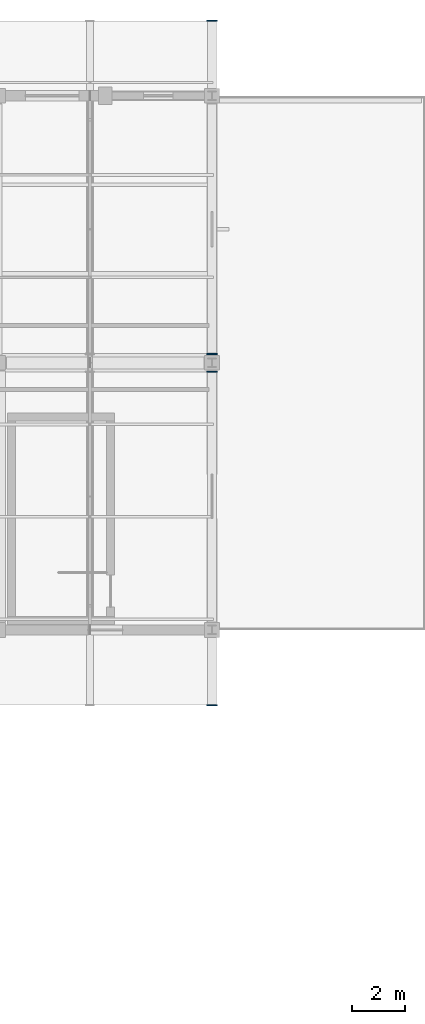
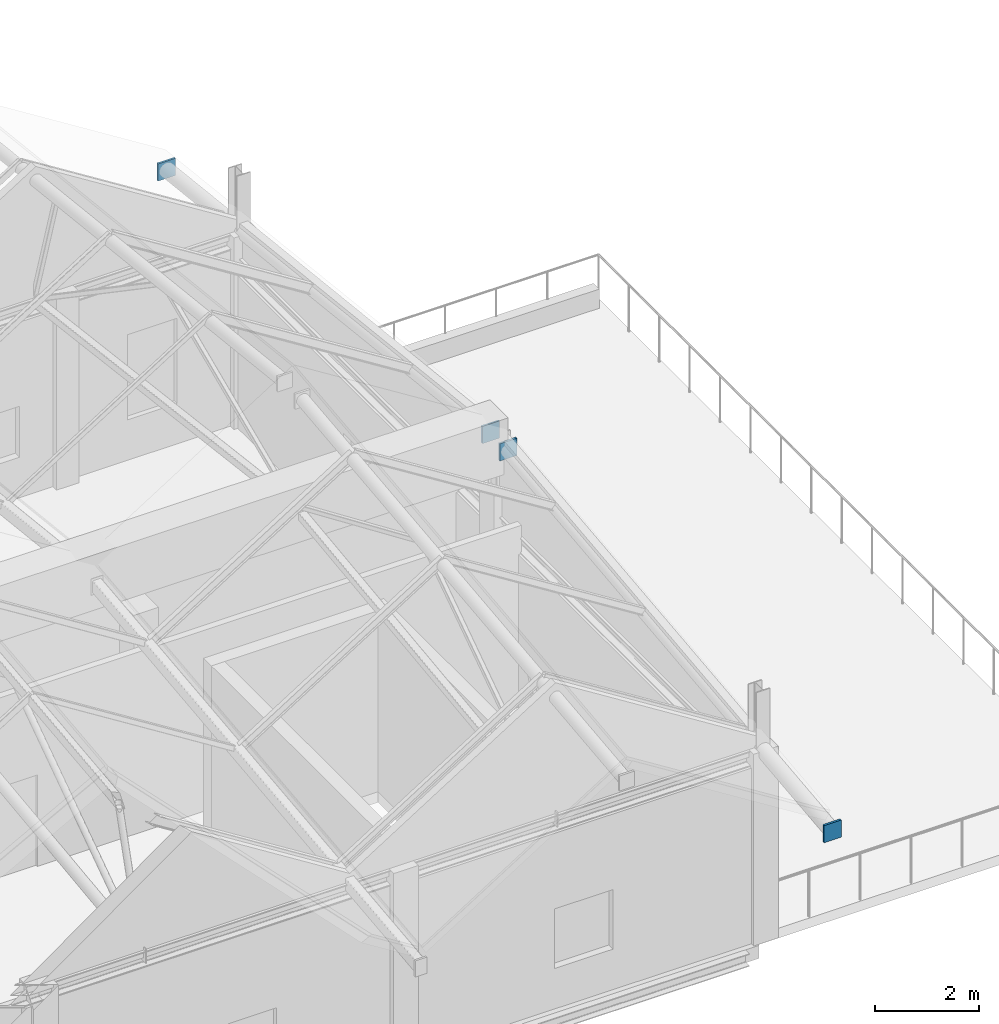
# One storey, part 161 of 183: 4 discrete accessories.
"""IFC4 building model written with IfcOpenShell, lengths in metres."""

from ifc_helpers import new_model, si_unit, direction, frame, origin, origin_2d, place, context, subcontext, project, spatial, rectangle, extrude, material, type_object, element, save


model = new_model("IFC4")

# Units and contexts
model_context = context("Model", 3, precision=1e-05, world=origin(), true_north=direction((0.0, 1.0)))
body_context = subcontext(model_context, "Body", "Model", "MODEL_VIEW")
ifc_project = project(units=[si_unit("LENGTHUNIT", "METRE"), si_unit("AREAUNIT", "SQUARE_METRE"), si_unit("VOLUMEUNIT", "CUBIC_METRE"), si_unit("PLANEANGLEUNIT", "RADIAN"), si_unit("MASSUNIT", "GRAM", prefix="KILO")], contexts=[model_context])

# Site, building, storey
site_placement = place(None, origin())
site = spatial("IfcSite", under=ifc_project, at=site_placement, CompositionType="ELEMENT")
building_placement = place(site_placement, origin())
building = spatial("IfcBuilding", under=site, at=building_placement, Name="Luwemba Playhouse", CompositionType="ELEMENT")
storey_placement = place(building_placement, frame((0.0, 0.0, 4.800048828125)))
storey = spatial("IfcBuildingStorey", under=building, at=storey_placement, Name="L01", CompositionType="ELEMENT", Elevation=4.800048828125)

# Discrete accessories
ifc_material = material(Name="Steel S355", Category="steel")
discrete_accessory_type = type_object("IfcDiscreteAccessoryType", Name="ACC-ENDCAP-S355", PredefinedType="BRACKET", material=ifc_material)
for number, where, z_axis, x_axis, name in (
    (1, (68.0, 92.18505859375, 3.9462890625), (0.0, 0.0, 1.0), (1.0, 0.0, 0.0), "Welded RHS end cap plate 0493"),
    (2, (68.0, 104.664794921875, 5.34619140625), (0.0, 0.0, 1.0), (1.0, 0.0, 0.0), "Welded RHS end cap plate 0494"),
    (3, (68.0, 105.335205078125, 5.34619140625), (0.0, 0.0, 1.0), (1.0, 0.0, 0.0), "Welded RHS end cap plate 0495"),
    (4, (68.0, 117.81494140625, 3.9462890625), (0.0, 0.0, 1.0), (1.0, 0.0, 0.0), "Welded RHS end cap plate 0496"),
):
    element("IfcDiscreteAccessory", number, at=place(storey_placement, frame(where, z_axis=z_axis, x_axis=x_axis)), inside=storey, type_object=discrete_accessory_type, Name=name, PredefinedType="BRACKET", context=body_context, shape_type="SweptSolid", body=[
        extrude(rectangle(XDim=0.384033203125, YDim=0.044921875, at=origin_2d()), origin(), (0.0, 0.0, 1.0), 0.404052734375),
    ])

save(model, "model.ifc")
